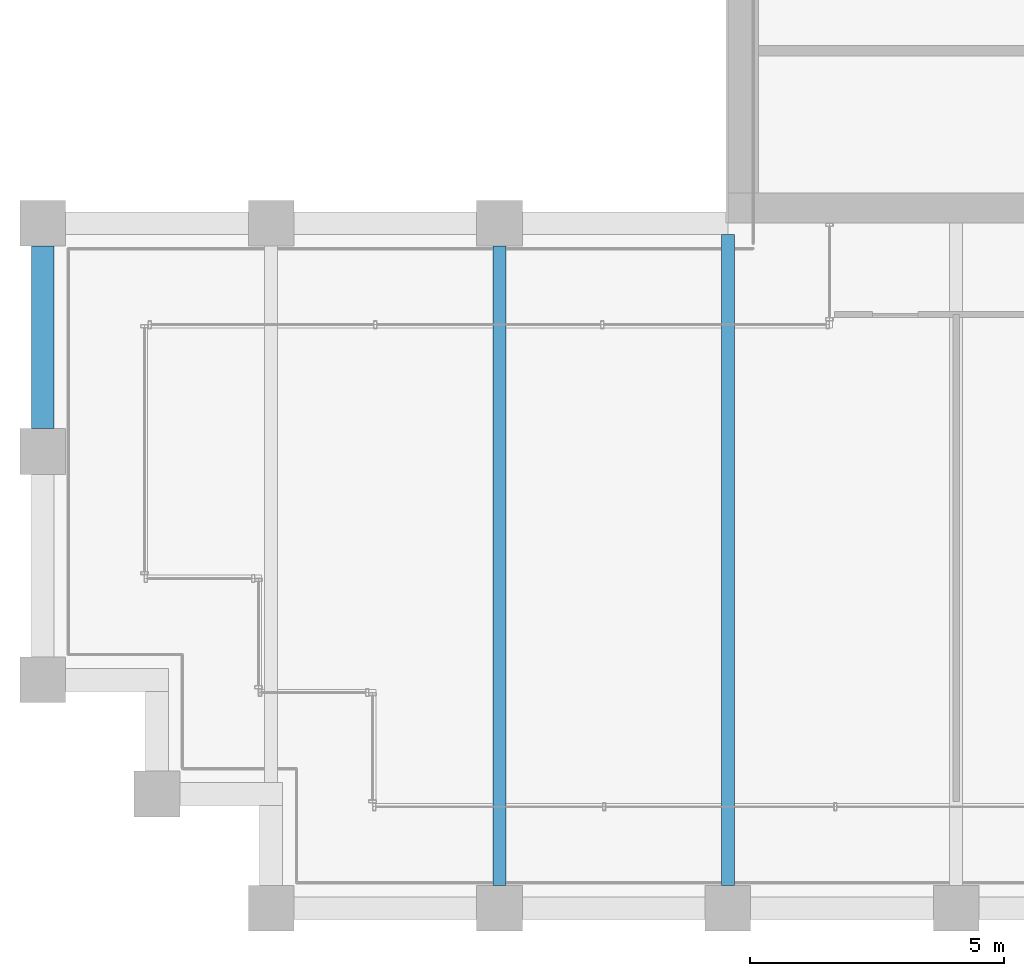
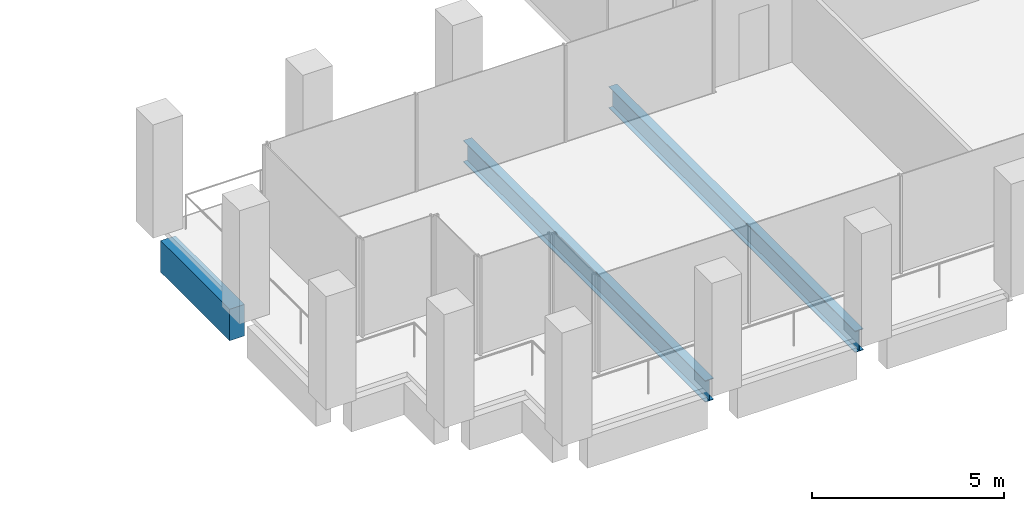
# One storey, part 4 of 40: 3 beams.
"""IFC4 building model written with IfcOpenShell, lengths in metres."""

from ifc_helpers import new_model, si_unit, direction, frame, origin, origin_2d, place, context, subcontext, project, spatial, rectangle, i_section, extrude, material, material_profile, profile_set, type_object, element, save


model = new_model("IFC4")

# Units and contexts
model_context = context("Model", 3, precision=1e-05, world=origin(), true_north=direction((0.0, 1.0)))
body_context = subcontext(model_context, "Body", "Model", "MODEL_VIEW")
ifc_project = project(units=[si_unit("LENGTHUNIT", "METRE"), si_unit("AREAUNIT", "SQUARE_METRE"), si_unit("VOLUMEUNIT", "CUBIC_METRE"), si_unit("PLANEANGLEUNIT", "RADIAN"), si_unit("MASSUNIT", "GRAM", prefix="KILO")], contexts=[model_context])

# Site, building, storey
site_placement = place(None, origin())
site = spatial("IfcSite", under=ifc_project, at=site_placement, CompositionType="ELEMENT")
building_placement = place(site_placement, origin())
building = spatial("IfcBuilding", under=site, at=building_placement, Name="Altepetl Exchange Towers", CompositionType="ELEMENT")
storey_placement = place(building_placement, frame((0.0, 0.0, 147.39990234375)))
storey = spatial("IfcBuildingStorey", under=building, at=storey_placement, Name="L36", CompositionType="ELEMENT", Elevation=147.39990234375)

# Beams
ifc_material_1 = material(Name="Steel S355", Category="steel")
ifc_material_profile_1 = material_profile(ifc_material_1, i_section(OverallWidth=0.25390625, OverallDepth=0.68408203125, WebThickness=0.012451171875, FlangeThickness=0.018798828125, at=origin_2d()), Name="W27X94")
ifc_profile_set_1 = profile_set([ifc_material_profile_1], Name="Steel S355")
beam_type_1 = type_object("IfcBeamType", Name="Floor beam W27X94", PredefinedType="BEAM", material=ifc_profile_set_1)
beam_1_placement = place(storey_placement, frame((36.0, 27.449951171875, -0.491943359375), z_axis=(0.0, 1.0, 0.0), x_axis=(-1.0, 0.0, 0.0)))
element("IfcBeam", 1, at=beam_1_placement, inside=storey, type_object=beam_type_1, Name="bm:A:L36:013", PredefinedType="BEAM", context=body_context, shape_type="SweptSolid", body=[
    extrude(i_section(OverallWidth=0.25390625, OverallDepth=0.68408203125, WebThickness=0.012451171875, FlangeThickness=0.018798828125, at=origin_2d()), origin(), (0.0, 0.0, 1.0), 12.60009765625),
])
beam_2_placement = place(storey_placement, frame((40.5, 27.449951171875, -0.491943359375), z_axis=(0.0, 1.0, 0.0), x_axis=(-1.0, 0.0, 0.0)))
element("IfcBeam", 2, at=beam_2_placement, inside=storey, type_object=beam_type_1, Name="bm:A:L36:014", PredefinedType="BEAM", context=body_context, shape_type="SweptSolid", body=[
    extrude(i_section(OverallWidth=0.25390625, OverallDepth=0.68408203125, WebThickness=0.012451171875, FlangeThickness=0.018798828125, at=origin_2d()), origin(), (0.0, 0.0, 1.0), 12.824951171875),
])
ifc_material_2 = material(Name="Concrete C50/60 precast with cantera blanca facing", Category="concrete")
ifc_material_profile_2 = material_profile(ifc_material_2, rectangle(XDim=0.449951171875, YDim=1.0, at=origin_2d()), Name="450 x 1000")
ifc_profile_set_2 = profile_set([ifc_material_profile_2], Name="Concrete C50/60 precast with cantera blanca facing")
beam_type_2 = type_object("IfcBeamType", Name="Spandrel beam 450x1000 cantera blanca", PredefinedType="SPANDREL", material=ifc_profile_set_2)
beam_3_placement = place(storey_placement, frame((27.0, 40.050048828125, -0.64990234375), z_axis=(0.0, -1.0, 0.0), x_axis=(1.0, 0.0, 0.0)))
element("IfcBeam", 3, at=beam_3_placement, inside=storey, type_object=beam_type_2, Name="sp:A:L36:036", PredefinedType="SPANDREL", context=body_context, shape_type="SweptSolid", body=[
    extrude(rectangle(XDim=0.449951171875, YDim=1.0, at=origin_2d()), origin(), (0.0, 0.0, 1.0), 3.60009765625),
])

save(model, "model.ifc")
